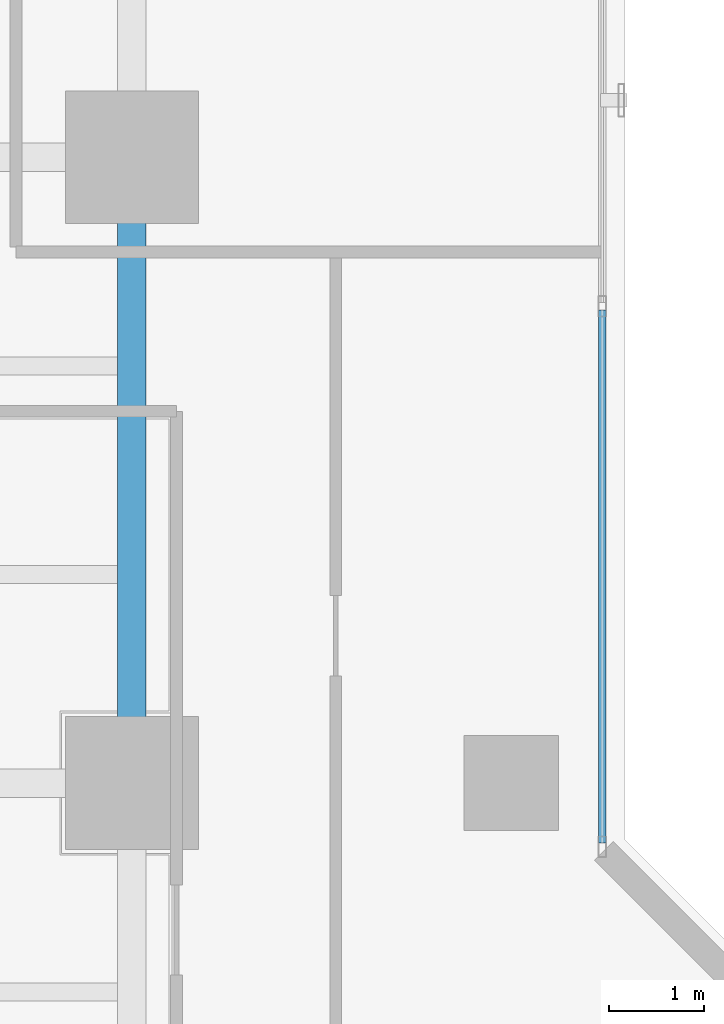
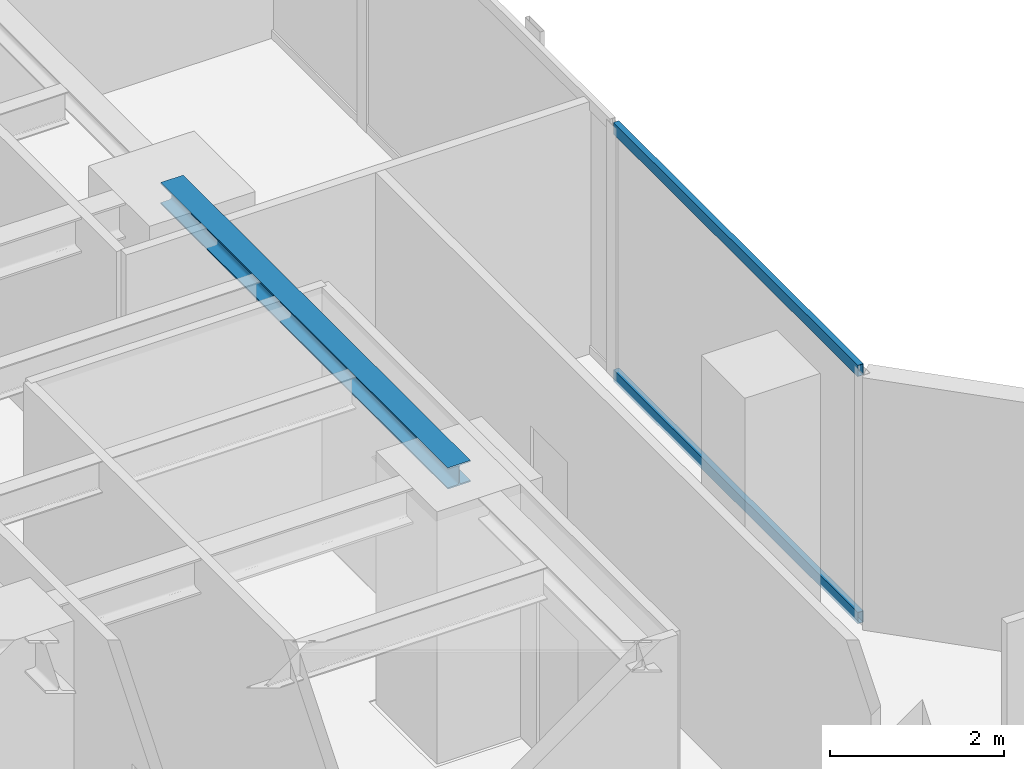
# One storey, part 10 of 27: 2 members, 1 beam, 1 element without a shape of its own.
"""IFC4 building model written with IfcOpenShell, lengths in metres."""

from ifc_helpers import new_model, si_unit, direction, frame, origin, origin_with_axes, origin_2d, place, context, subcontext, project, spatial, hollow_rectangle, i_section, extrude, source, transform, mapped, material, layer, layer_set, material_profile, profile_set, type_object, element, aggregate, save


model = new_model("IFC4")

# Units and contexts
model_context = context("Model", 3, precision=1e-05, world=origin(), true_north=direction((0.0, 1.0)))
body_context = subcontext(model_context, "Body", "Model", "MODEL_VIEW")
ifc_project = project(units=[si_unit("LENGTHUNIT", "METRE"), si_unit("AREAUNIT", "SQUARE_METRE"), si_unit("VOLUMEUNIT", "CUBIC_METRE"), si_unit("PLANEANGLEUNIT", "RADIAN"), si_unit("MASSUNIT", "GRAM", prefix="KILO")], contexts=[model_context])

# Site, building, storey
site_placement = place(None, origin())
site = spatial("IfcSite", under=ifc_project, at=site_placement, CompositionType="ELEMENT")
building_placement = place(site_placement, origin())
building = spatial("IfcBuilding", under=site, at=building_placement, Name="Kolvaren Waterfront Exchange", CompositionType="ELEMENT")
storey_placement = place(building_placement, frame((0.0, 0.0, 118.300048828125)))
storey = spatial("IfcBuildingStorey", under=building, at=storey_placement, Name="L30", CompositionType="ELEMENT", Elevation=118.300048828125)

# Beam
ifc_material_1 = material(Name="Steel S355", Category="steel")
ifc_material_profile_1 = material_profile(ifc_material_1, i_section(OverallWidth=0.300048828125, OverallDepth=0.300048828125, WebThickness=0.010986328125, FlangeThickness=0.01904296875, FilletRadius=0.027099609375, at=origin_2d()), Name="HEB300")
ifc_profile_set_1 = profile_set([ifc_material_profile_1], Name="Steel S355")
beam_type = type_object("IfcBeamType", Name="STR-BM-HEB300", PredefinedType="SPANDREL", material=ifc_profile_set_1)
beam_placement = place(storey_placement, frame((18.800048828125, 31.199951171875, 3.389892578125), z_axis=(0.0, 1.0, 0.0), x_axis=(-1.0, 0.0, 0.0)))
element("IfcBeam", 1, at=beam_placement, inside=storey, type_object=beam_type, Name="L30 north-arm edge beam 2", PredefinedType="SPANDREL", context=body_context, shape_type="SweptSolid", body=[
    extrude(i_section(OverallWidth=0.300048828125, OverallDepth=0.300048828125, WebThickness=0.010986328125, FlangeThickness=0.01904296875, FilletRadius=0.027099609375, at=origin_2d()), origin(), (0.0, 0.0, 1.0), 6.60009765625),
])

# Curtain wall, members
ifc_material_2 = material(Name="Anodised bronze aluminium 6063-T6", Category="aluminium")
ifc_layer = layer(ifc_material_2, 0.219970703125, Name="Anodised bronze aluminium 6063-T6")
ifc_layer_set = layer_set([ifc_layer], Name="Anodised bronze aluminium 6063-T6")
curtain_wall_type = type_object("IfcCurtainWallType", Name="ARC-CW-SYS1", PredefinedType="USERDEFINED", material=ifc_layer_set)
curtain_wall_placement = place(storey_placement, origin())
curtain_wall = element("IfcCurtainWall", 2, at=curtain_wall_placement, inside=storey, type_object=curtain_wall_type, Name="L30 stick curtain wall CW1 (CW-L30-NE)", ObjectType="STICK CURTAIN WALL", PredefinedType="USERDEFINED")
ifc_material_3 = material(Name="Anodised aluminium 6063-T6", Category="aluminium")
ifc_material_profile_2 = material_profile(ifc_material_3, hollow_rectangle(XDim=0.074951171875, YDim=0.159912109375, WallThickness=0.00439453125, at=origin_2d()), Name="ALU-TRN-160x75x4.5")
ifc_profile_set_2 = profile_set([ifc_material_profile_2], Name="Anodised aluminium 6063-T6")
member_type = type_object("IfcMemberType", Name="ARC-CWT-160", PredefinedType="USERDEFINED", material=ifc_profile_set_2)
shared_shape = source(origin_with_axes(), body_context, "Body", "SweptSolid", [
    extrude(hollow_rectangle(XDim=0.074951171875, YDim=0.159912109375, WallThickness=0.00439453125, at=origin_2d()), origin(), (0.0, 0.0, 1.0), 5.61669921875),
])
member_1_placement = place(storey_placement, frame((23.760009765625, 30.570068359375, 0.037353515625), z_axis=(0.0, 1.0, 0.0), x_axis=(-1.0, 0.0, 0.0)))
member_1 = element("IfcMember", 3, at=member_1_placement, type_object=member_type, Name="CW1 transom 1.1", ObjectType="TRANSOM", PredefinedType="USERDEFINED", context=body_context, shape_type="MappedRepresentation", body=[
    mapped(shared_shape, transform((0.0, 0.0, 0.0), x_axis=(1.0, 0.0, 0.0), y_axis=(0.0, 1.0, 0.0), z_axis=(0.0, 0.0, 1.0), scale=1.0)),
])
member_2_placement = place(storey_placement, frame((23.760009765625, 30.570068359375, 3.50244140625), z_axis=(0.0, 1.0, 0.0), x_axis=(-1.0, 0.0, 0.0)))
member_2 = element("IfcMember", 4, at=member_2_placement, type_object=member_type, Name="CW1 transom 1.2", ObjectType="TRANSOM", PredefinedType="USERDEFINED", context=body_context, shape_type="MappedRepresentation", body=[
    mapped(shared_shape, transform((0.0, 0.0, 0.0), x_axis=(1.0, 0.0, 0.0), y_axis=(0.0, 1.0, 0.0), z_axis=(0.0, 0.0, 1.0), scale=1.0)),
])
aggregate(curtain_wall, [member_1, member_2])

save(model, "model.ifc")
